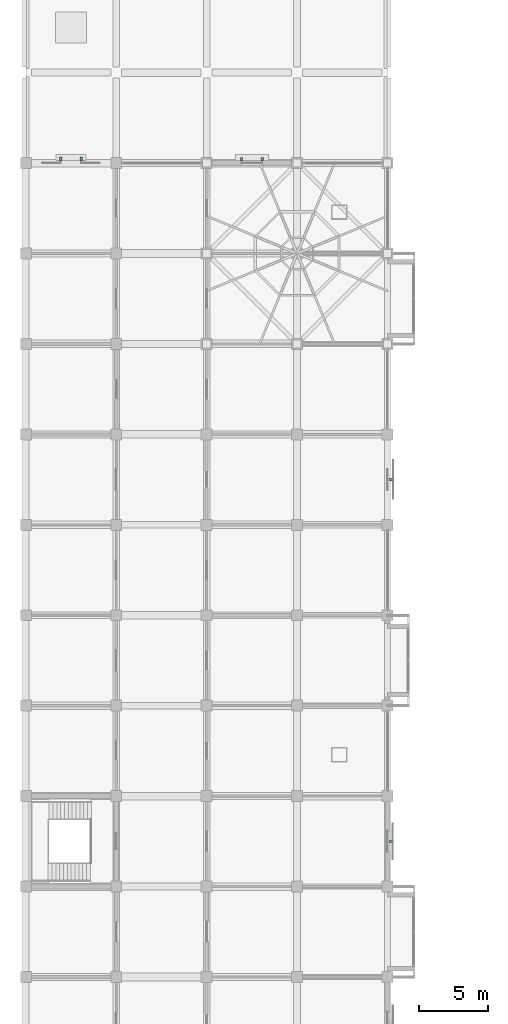
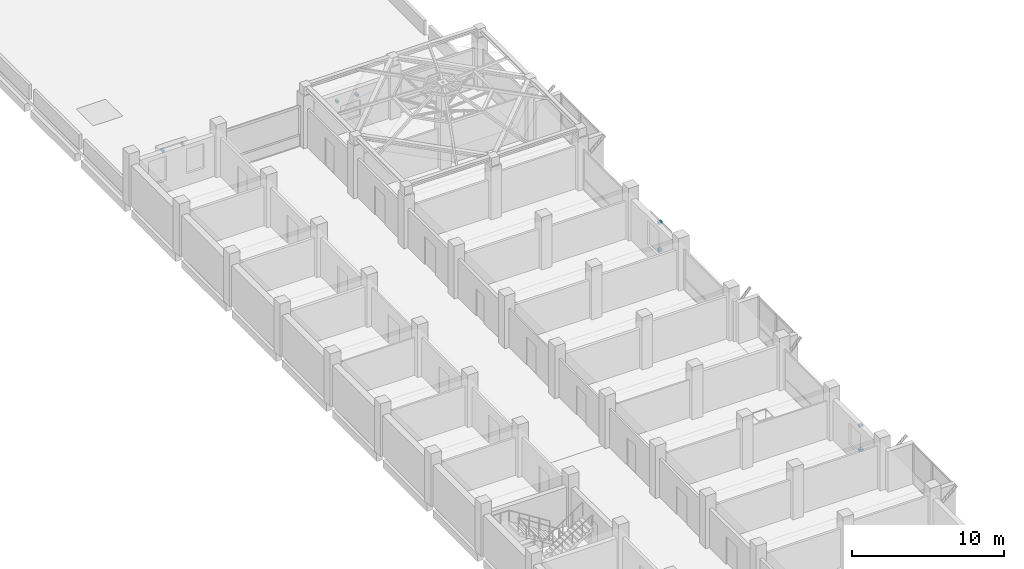
# One storey, part 26 of 30: 8 discrete accessories.
"""IFC4 building model written with IfcOpenShell, lengths in metres."""

from ifc_helpers import new_model, si_unit, direction, frame, origin, origin_2d, place, context, subcontext, project, spatial, rectangle, extrude, material, type_object, element, save


model = new_model("IFC4")

# Units and contexts
model_context = context("Model", 3, precision=1e-05, world=origin(), true_north=direction((0.0, 1.0)))
body_context = subcontext(model_context, "Body", "Model", "MODEL_VIEW")
ifc_project = project(units=[si_unit("LENGTHUNIT", "METRE"), si_unit("AREAUNIT", "SQUARE_METRE"), si_unit("VOLUMEUNIT", "CUBIC_METRE"), si_unit("PLANEANGLEUNIT", "RADIAN"), si_unit("MASSUNIT", "GRAM", prefix="KILO")], contexts=[model_context])

# Site, building, storey
site_placement = place(None, origin())
site = spatial("IfcSite", under=ifc_project, at=site_placement, CompositionType="ELEMENT")
building_placement = place(site_placement, origin())
building = spatial("IfcBuilding", under=site, at=building_placement, Name="Rusizi Kubbe Research Institute", CompositionType="ELEMENT")
storey_placement = place(building_placement, frame((0.0, 0.0, 10.199951171875)))
storey = spatial("IfcBuildingStorey", under=building, at=storey_placement, Name="L02", CompositionType="ELEMENT", Elevation=10.199951171875)

# Discrete accessories
ifc_material_1 = material(Name="Steel S355", Category="steel")
discrete_accessory_type_1 = type_object("IfcDiscreteAccessoryType", Name="BK-01", PredefinedType="BRACKET", material=ifc_material_1)
for number, where, z_axis, x_axis, name in (
    (1, (26.672607421875, 69.300048828125, 0.740234375), (0.0, 0.0, 1.0), (1.0, 0.0, 0.0), "Solar Screen Bracket 31-1"),
    (2, (26.672607421875, 69.300048828125, 2.72021484375), (0.0, 0.0, 1.0), (1.0, 0.0, 0.0), "Solar Screen Bracket 31-2"),
    (3, (26.702392578125, 95.699951171875, 0.740234375), (0.0, 0.0, 1.0), (1.0, 0.0, 0.0), "Solar Screen Bracket 32-1"),
    (4, (26.702392578125, 95.699951171875, 2.93994140625), (0.0, 0.0, 1.0), (1.0, 0.0, 0.0), "Solar Screen Bracket 32-2"),
):
    element("IfcDiscreteAccessory", number, at=place(storey_placement, frame(where, z_axis=z_axis, x_axis=x_axis)), inside=storey, type_object=discrete_accessory_type_1, Name=name, PredefinedType="BRACKET", context=body_context, shape_type="SweptSolid", body=[
        extrude(rectangle(XDim=0.300048828125, YDim=0.219970703125, at=origin_2d()), origin(), (0.0, 0.0, 1.0), 0.179931640625),
    ])
ifc_material_2 = material(Name="Steel S355", Category="steel")
discrete_accessory_type_2 = type_object("IfcDiscreteAccessoryType", Name="BK-02", PredefinedType="BRACKET", material=ifc_material_2)
for number, where, z_axis, x_axis, name in (
    (5, (2.550048828125, 119.092529296875, 2.9599609375), (0.0, 0.0, 1.0), (1.0, 0.0, 0.0), "Louver Canopy Bracket 19-1"),
    (6, (4.050048828125, 119.092529296875, 2.9599609375), (0.0, 0.0, 1.0), (1.0, 0.0, 0.0), "Louver Canopy Bracket 19-2"),
    (7, (15.75, 119.077392578125, 2.30029296875), (0.0, 0.0, 1.0), (1.0, 0.0, 0.0), "Louver Canopy Bracket 20-1"),
    (8, (17.25, 119.077392578125, 2.30029296875), (0.0, 0.0, 1.0), (1.0, 0.0, 0.0), "Louver Canopy Bracket 20-2"),
):
    element("IfcDiscreteAccessory", number, at=place(storey_placement, frame(where, z_axis=z_axis, x_axis=x_axis)), inside=storey, type_object=discrete_accessory_type_2, Name=name, PredefinedType="BRACKET", context=body_context, shape_type="SweptSolid", body=[
        extrude(rectangle(XDim=0.159912109375, YDim=0.280029296875, at=origin_2d()), origin(), (0.0, 0.0, 1.0), 0.179931640625),
    ])

save(model, "model.ifc")
